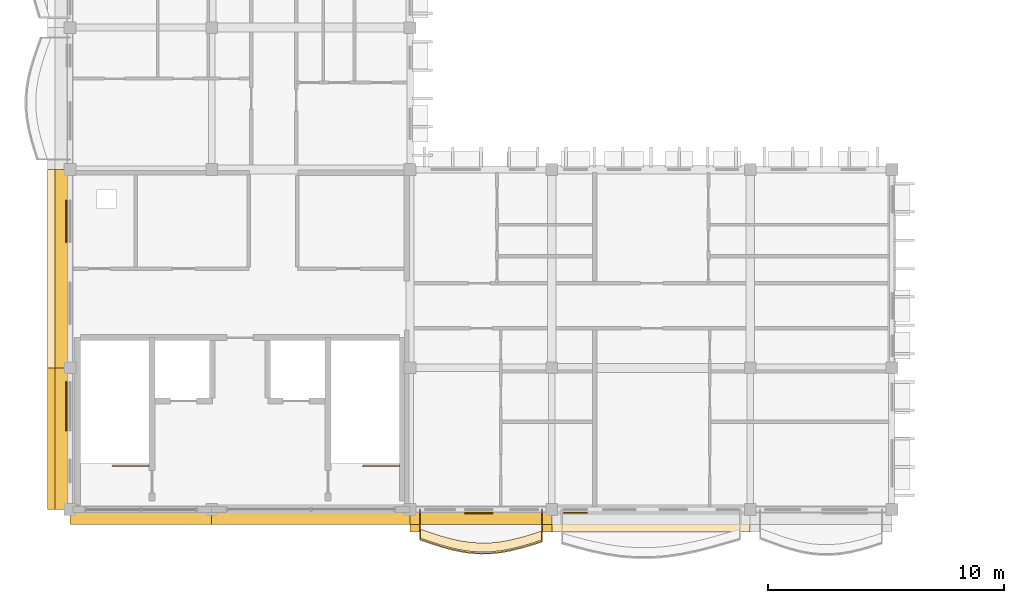
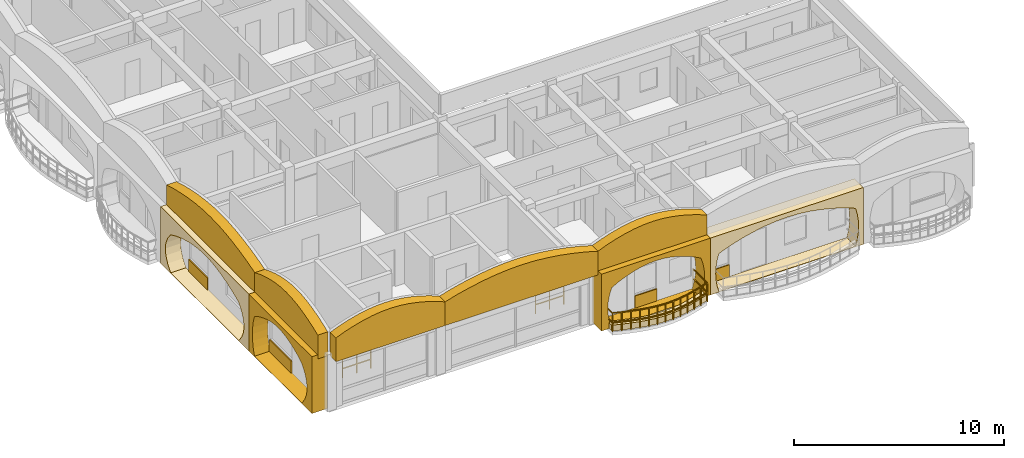
# One storey, part 29 of 45: 14 coverings, 3 railings.
"""IFC4 building model written with IfcOpenShell, lengths in metres."""

from ifc_helpers import new_model, si_unit, direction, frame, origin, origin_2d, place, context, subcontext, project, spatial, polyline, rectangle, outline, extrude, material, layer, layer_set, type_object, element, save


model = new_model("IFC4")

# Units and contexts
model_context = context("Model", 3, precision=1e-05, world=origin(), true_north=direction((0.0, 1.0)))
body_context = subcontext(model_context, "Body", "Model", "MODEL_VIEW")
ifc_project = project(units=[si_unit("LENGTHUNIT", "METRE"), si_unit("AREAUNIT", "SQUARE_METRE"), si_unit("VOLUMEUNIT", "CUBIC_METRE"), si_unit("PLANEANGLEUNIT", "RADIAN"), si_unit("MASSUNIT", "GRAM", prefix="KILO"), si_unit("THERMODYNAMICTEMPERATUREUNIT", "KELVIN")], contexts=[model_context])

# Site, building, storey
site_placement = place(None, origin())
site = spatial("IfcSite", under=ifc_project, at=site_placement, CompositionType="ELEMENT")
building_placement = place(site_placement, origin())
building = spatial("IfcBuilding", under=site, at=building_placement, Name="Thalorik Housing Commons", CompositionType="ELEMENT")
storey_placement = place(building_placement, frame((0.0, 0.0, 34.5)))
storey = spatial("IfcBuildingStorey", under=building, at=storey_placement, Name="L10", CompositionType="ELEMENT", Elevation=34.5)

# Coverings
ifc_material_1 = material(Name="Cobalt blue glazed ceramic facade tile panel", Category="masonry")
ifc_layer_1 = layer(ifc_material_1, 0.06005859375, Name="Cobalt blue glazed ceramic facade tile panel", Category="masonry")
ifc_layer_set_1 = layer_set([ifc_layer_1], Name="Cobalt blue glazed ceramic facade tile panel")
covering_type_1 = type_object("IfcCoveringType", Name="ARC-CLD-BLU-60", PredefinedType="CLADDING", material=ifc_layer_set_1)
covering_1_placement = place(storey_placement, frame((8.257568359375, 20.60498046875, 0.0498046875), z_axis=(0.0, 0.0, 1.0), x_axis=(0.0, -1.0, 0.0)))
element("IfcCovering", 1, at=covering_1_placement, inside=storey, type_object=covering_type_1, Name="L10 De Stijl Recessed Window Spandrel 4464", PredefinedType="CLADDING", context=body_context, shape_type="SweptSolid", body=[
    extrude(rectangle(XDim=1.780029296875, YDim=0.06005859375, at=origin_2d()), origin(), (0.0, 0.0, 1.0), 0.699951171875),
])
ifc_material_2 = material(Name="Precast concrete C40/50", Category="concrete")
ifc_layer_2 = layer(ifc_material_2, 0.85009765625, Name="Precast concrete C40/50", Category="concrete")
ifc_layer_set_2 = layer_set([ifc_layer_2], Name="Precast concrete C40/50")
covering_type_2 = type_object("IfcCoveringType", Name="ARC-CLD-CUSH-850", PredefinedType="CLADDING", material=ifc_layer_set_2)
covering_2_placement = place(storey_placement, frame((7.867431640625, 18.60009765625, 0.0), z_axis=(0.0, 0.0, 1.0), x_axis=(0.0, -1.0, 0.0)))
element("IfcCovering", 2, at=covering_2_placement, inside=storey, type_object=covering_type_2, Name="L10 White Precast Curved Cushion Bay Frame 4463", PredefinedType="CLADDING", context=body_context, shape_type="SweptSolid", body=[
    extrude(outline(polyline([(-4.199951171875, 0.0), (4.199951171875, 0.0), (4.199951171875, 3.300048828125), (-4.199951171875, 3.300048828125), (-4.199951171875, 0.0)]), holes=[polyline([(3.239990234375, 0.02490234375), (3.523193359375, 0.394287109375), (3.693359375, 0.76318359375), (3.75, 1.132568359375), (3.693359375, 1.501708984375), (3.523193359375, 1.870849609375), (3.239990234375, 2.239990234375), (2.699951171875, 2.4833984375), (2.159912109375, 2.6748046875), (1.6201171875, 2.82958984375), (1.080078125, 2.94482421875), (0.5400390625, 3.01611328125), (0.0, 3.0400390625), (-0.5400390625, 3.01611328125), (-1.080078125, 2.94482421875), (-1.6201171875, 2.82958984375), (-2.159912109375, 2.6748046875), (-2.699951171875, 2.4833984375), (-3.239990234375, 2.239990234375), (-3.523193359375, 1.870849609375), (-3.693359375, 1.501708984375), (-3.75, 1.132568359375), (-3.693359375, 0.76318359375), (-3.523193359375, 0.394287109375), (-3.239990234375, 0.02490234375), (3.239990234375, 0.02490234375)])]), frame((0.0, 0.425048828125, 0.0), z_axis=(0.0, -1.0, 0.0), x_axis=(1.0, 0.0, 0.0)), (0.0, 0.0, 1.0), 0.85009765625),
])
covering_3_placement = place(storey_placement, frame((7.867431640625, 11.39990234375, 0.0), z_axis=(0.0, 0.0, 1.0), x_axis=(0.0, -1.0, 0.0)))
element("IfcCovering", 3, at=covering_3_placement, inside=storey, type_object=covering_type_2, Name="L10 White Precast Curved Cushion Bay Frame 4465", PredefinedType="CLADDING", context=body_context, shape_type="SweptSolid", body=[
    extrude(outline(polyline([(-3.0, 0.0), (3.0, 0.0), (3.0, 3.300048828125), (-3.0, 3.300048828125), (-3.0, 0.0)]), holes=[polyline([(2.0400390625, 0.02490234375), (2.3232421875, 0.410888671875), (2.493408203125, 0.796630859375), (2.550048828125, 1.1826171875), (2.493408203125, 1.568359375), (2.3232421875, 1.9541015625), (2.0400390625, 2.340087890625), (1.6650390625, 2.552978515625), (1.2900390625, 2.720458984375), (0.9150390625, 2.85595703125), (0.5400390625, 2.956787109375), (0.1650390625, 3.01904296875), (-0.2099609375, 3.0400390625), (-0.5849609375, 3.01904296875), (-0.9599609375, 2.956787109375), (-1.3349609375, 2.85595703125), (-1.7099609375, 2.720458984375), (-2.0849609375, 2.552978515625), (-2.4599609375, 2.340087890625), (-2.573974609375, 1.9541015625), (-2.642333984375, 1.568359375), (-2.665283203125, 1.1826171875), (-2.642333984375, 0.796630859375), (-2.573974609375, 0.410888671875), (-2.4599609375, 0.02490234375), (2.0400390625, 0.02490234375)])]), frame((0.0, 0.425048828125, 0.0), z_axis=(0.0, -1.0, 0.0), x_axis=(1.0, 0.0, 0.0)), (0.0, 0.0, 1.0), 0.85009765625),
])
covering_4_placement = place(storey_placement, frame((25.800048828125, 7.867431640625, 0.0), z_axis=(0.0, 0.0, 1.0), x_axis=(1.0, 0.0, 0.0)))
element("IfcCovering", 4, at=covering_4_placement, inside=storey, type_object=covering_type_2, Name="L10 White Precast Curved Cushion Bay Frame 4467", PredefinedType="CLADDING", context=body_context, shape_type="SweptSolid", body=[
    extrude(outline(polyline([(-3.0, 0.0), (3.0, 0.0), (3.0, 3.300048828125), (-3.0, 3.300048828125), (-3.0, 0.0)]), holes=[polyline([(2.47509765625, 0.02490234375), (2.585693359375, 0.407470703125), (2.65234375, 0.7900390625), (2.674560546875, 1.172607421875), (2.65234375, 1.554931640625), (2.585693359375, 1.9375), (2.47509765625, 2.320068359375), (2.066162109375, 2.539306640625), (1.657470703125, 2.711181640625), (1.248779296875, 2.8505859375), (0.840087890625, 2.954345703125), (0.43115234375, 3.018310546875), (0.0224609375, 3.0400390625), (-0.38623046875, 3.018310546875), (-0.794921875, 2.954345703125), (-1.20361328125, 2.8505859375), (-1.612548828125, 2.711181640625), (-2.021240234375, 2.539306640625), (-2.429931640625, 2.320068359375), (-2.55029296875, 1.9375), (-2.62255859375, 1.554931640625), (-2.646484375, 1.172607421875), (-2.62255859375, 0.7900390625), (-2.55029296875, 0.407470703125), (-2.429931640625, 0.02490234375), (2.47509765625, 0.02490234375)])]), frame((0.0, 0.425048828125, 0.0), z_axis=(0.0, -1.0, 0.0), x_axis=(1.0, 0.0, 0.0)), (0.0, 0.0, 1.0), 0.85009765625),
])
covering_5_placement = place(storey_placement, frame((33.0, 7.867431640625, 0.0), z_axis=(0.0, 0.0, 1.0), x_axis=(1.0, 0.0, 0.0)))
element("IfcCovering", 5, at=covering_5_placement, inside=storey, type_object=covering_type_2, Name="L10 White Precast Curved Cushion Bay Frame 4469", PredefinedType="CLADDING", context=body_context, shape_type="SweptSolid", body=[
    extrude(outline(polyline([(-4.199951171875, 0.0), (4.199951171875, 0.0), (4.199951171875, 3.300048828125), (-4.199951171875, 3.300048828125), (-4.199951171875, 0.0)]), holes=[polyline([(3.77001953125, 0.02490234375), (3.86083984375, 0.394287109375), (3.915283203125, 0.76318359375), (3.933349609375, 1.132568359375), (3.915283203125, 1.501708984375), (3.86083984375, 1.870849609375), (3.77001953125, 2.239990234375), (3.143798828125, 2.4833984375), (2.517578125, 2.6748046875), (1.89111328125, 2.82958984375), (1.264892578125, 2.94482421875), (0.638671875, 3.01611328125), (0.012451171875, 3.0400390625), (-0.61376953125, 3.01611328125), (-1.239990234375, 2.94482421875), (-1.8662109375, 2.82958984375), (-2.492431640625, 2.6748046875), (-3.11865234375, 2.4833984375), (-3.7451171875, 2.239990234375), (-3.841064453125, 1.870849609375), (-3.898681640625, 1.501708984375), (-3.91796875, 1.132568359375), (-3.898681640625, 0.76318359375), (-3.841064453125, 0.394287109375), (-3.7451171875, 0.02490234375), (3.77001953125, 0.02490234375)])]), frame((0.0, 0.425048828125, 0.0), z_axis=(0.0, -1.0, 0.0), x_axis=(1.0, 0.0, 0.0)), (0.0, 0.0, 1.0), 0.85009765625),
])
ifc_layer_3 = layer(ifc_material_2, 0.550048828125, Name="Precast concrete C40/50", Category="concrete")
ifc_layer_set_3 = layer_set([ifc_layer_3], Name="Precast concrete C40/50")
covering_type_3 = type_object("IfcCoveringType", Name="ARC-CLD-PAR-550", PredefinedType="CLADDING", material=ifc_layer_set_3)
covering_6_placement = place(storey_placement, frame((8.04248046875, 18.60009765625, 3.06005859375), z_axis=(0.0, 0.0, 1.0), x_axis=(0.0, -1.0, 0.0)))
element("IfcCovering", 6, at=covering_6_placement, inside=storey, type_object=covering_type_3, Name="L10 Block C Scalloped White Precast Parapet Crest 4518", PredefinedType="CLADDING", context=body_context, shape_type="SweptSolid", body=[
    extrude(outline(polyline([(-4.199951171875, 0.0), (4.199951171875, 0.0), (4.199951171875, 1.3798828125), (3.5, 1.58154296875), (2.800048828125, 1.744384765625), (2.10009765625, 1.877685546875), (1.39990234375, 1.977294921875), (0.699951171875, 2.0390625), (0.0, 2.06005859375), (-0.699951171875, 2.0390625), (-1.39990234375, 1.977294921875), (-2.10009765625, 1.877685546875), (-2.800048828125, 1.744384765625), (-3.5, 1.58154296875), (-4.199951171875, 1.3798828125), (-4.199951171875, 0.0)])), frame((0.0, 0.27490234375, 0.0), z_axis=(0.0, -1.0, 0.0), x_axis=(1.0, 0.0, 0.0)), (0.0, 0.0, 1.0), 0.550048828125),
])
for number, where, z_axis, x_axis, name in (
    (7, (8.04248046875, 11.39990234375, 3.06005859375), (0.0, 0.0, 1.0), (0.0, -1.0, 0.0), "L10 Block C Scalloped White Precast Parapet Crest 4519"),
    (8, (11.39990234375, 8.04248046875, 3.06005859375), (0.0, 0.0, 1.0), (1.0, 0.0, 0.0), "L10 Block C Scalloped White Precast Parapet Crest 4520"),
):
    element("IfcCovering", number, at=place(storey_placement, frame(where, z_axis=z_axis, x_axis=x_axis)), inside=storey, type_object=covering_type_3, Name=name, PredefinedType="CLADDING", context=body_context, shape_type="SweptSolid", body=[
        extrude(outline(polyline([(-3.0, 0.0), (3.0, 0.0), (3.0, 1.3798828125), (2.5, 1.58154296875), (2.0, 1.744384765625), (1.5, 1.877685546875), (1.0, 1.977294921875), (0.5, 2.0390625), (0.0, 2.06005859375), (-0.5, 2.0390625), (-1.0, 1.977294921875), (-1.5, 1.877685546875), (-2.0, 1.744384765625), (-2.5, 1.58154296875), (-3.0, 1.3798828125), (-3.0, 0.0)])), frame((0.0, 0.27490234375, 0.0), z_axis=(0.0, -1.0, 0.0), x_axis=(1.0, 0.0, 0.0)), (0.0, 0.0, 1.0), 0.550048828125),
    ])
covering_7_placement = place(storey_placement, frame((18.60009765625, 8.04248046875, 3.06005859375), z_axis=(0.0, 0.0, 1.0), x_axis=(1.0, 0.0, 0.0)))
element("IfcCovering", 9, at=covering_7_placement, inside=storey, type_object=covering_type_3, Name="L10 Block C Scalloped White Precast Parapet Crest 4521", PredefinedType="CLADDING", context=body_context, shape_type="SweptSolid", body=[
    extrude(outline(polyline([(-4.199951171875, 0.0), (4.199951171875, 0.0), (4.199951171875, 1.3798828125), (3.5, 1.58154296875), (2.800048828125, 1.744384765625), (2.10009765625, 1.877685546875), (1.39990234375, 1.977294921875), (0.699951171875, 2.0390625), (0.0, 2.06005859375), (-0.699951171875, 2.0390625), (-1.39990234375, 1.977294921875), (-2.10009765625, 1.877685546875), (-2.800048828125, 1.744384765625), (-3.5, 1.58154296875), (-4.199951171875, 1.3798828125), (-4.199951171875, 0.0)])), frame((0.0, 0.27490234375, 0.0), z_axis=(0.0, -1.0, 0.0), x_axis=(1.0, 0.0, 0.0)), (0.0, 0.0, 1.0), 0.550048828125),
])
covering_8_placement = place(storey_placement, frame((25.800048828125, 8.04248046875, 3.06005859375), z_axis=(0.0, 0.0, 1.0), x_axis=(1.0, 0.0, 0.0)))
element("IfcCovering", 10, at=covering_8_placement, inside=storey, type_object=covering_type_3, Name="L10 Block C Scalloped White Precast Parapet Crest 4522", PredefinedType="CLADDING", context=body_context, shape_type="SweptSolid", body=[
    extrude(outline(polyline([(-3.0, 0.0), (3.0, 0.0), (3.0, 1.3798828125), (2.5, 1.58154296875), (2.0, 1.744384765625), (1.5, 1.877685546875), (1.0, 1.977294921875), (0.5, 2.0390625), (0.0, 2.06005859375), (-0.5, 2.0390625), (-1.0, 1.977294921875), (-1.5, 1.877685546875), (-2.0, 1.744384765625), (-2.5, 1.58154296875), (-3.0, 1.3798828125), (-3.0, 0.0)])), frame((0.0, 0.27490234375, 0.0), z_axis=(0.0, -1.0, 0.0), x_axis=(1.0, 0.0, 0.0)), (0.0, 0.0, 1.0), 0.550048828125),
])
ifc_material_3 = material(Name="Terracotta red mineral fibre-cement panel", Category="masonry")
ifc_layer_4 = layer(ifc_material_3, 0.054931640625, Name="Terracotta red mineral fibre-cement panel", Category="masonry")
ifc_layer_set_4 = layer_set([ifc_layer_4], Name="Terracotta red mineral fibre-cement panel")
covering_type_4 = type_object("IfcCoveringType", Name="ARC-CLD-RED-55", PredefinedType="CLADDING", material=ifc_layer_set_4)
covering_9_placement = place(storey_placement, frame((29.804931640625, 8.260009765625, 0.0498046875), z_axis=(0.0, 0.0, 1.0), x_axis=(1.0, 0.0, 0.0)))
element("IfcCovering", 11, at=covering_9_placement, inside=storey, type_object=covering_type_4, Name="L10 De Stijl Recessed Window Spandrel 4470", PredefinedType="CLADDING", context=body_context, shape_type="SweptSolid", body=[
    extrude(rectangle(XDim=1.0, YDim=0.054931640625, at=origin_2d()), origin(), (0.0, 0.0, 1.0), 0.699951171875),
])
ifc_material_4 = material(Name="Mineral ochre architectural terracotta panel", Category="masonry")
ifc_layer_5 = layer(ifc_material_4, 0.06494140625, Name="Mineral ochre architectural terracotta panel", Category="masonry")
ifc_layer_set_5 = layer_set([ifc_layer_5], Name="Mineral ochre architectural terracotta panel")
covering_type_5 = type_object("IfcCoveringType", Name="ARC-CLD-YEL-65", PredefinedType="CLADDING", material=ifc_layer_set_5)
covering_10_placement = place(storey_placement, frame((8.2548828125, 12.77001953125, 0.0498046875), z_axis=(0.0, 0.0, 1.0), x_axis=(0.0, -1.0, 0.0)))
element("IfcCovering", 12, at=covering_10_placement, inside=storey, type_object=covering_type_5, Name="L10 De Stijl Recessed Window Spandrel 4466", PredefinedType="CLADDING", context=body_context, shape_type="SweptSolid", body=[
    extrude(rectangle(XDim=2.080078125, YDim=0.06494140625, at=origin_2d()), origin(), (0.0, 0.0, 1.0), 0.699951171875),
])
covering_11_placement = place(storey_placement, frame((25.705078125, 8.2548828125, 0.0498046875), z_axis=(0.0, 0.0, 1.0), x_axis=(1.0, 0.0, 0.0)))
element("IfcCovering", 13, at=covering_11_placement, inside=storey, type_object=covering_type_5, Name="L10 De Stijl Recessed Window Spandrel 4468", PredefinedType="CLADDING", context=body_context, shape_type="SweptSolid", body=[
    extrude(rectangle(XDim=1.199951171875, YDim=0.06494140625, at=origin_2d()), origin(), (0.0, 0.0, 1.0), 0.699951171875),
])
ifc_material_5 = material(Name="Planted vegetated substrate and terracotta trough", Category="masonry")
ifc_layer_6 = layer(ifc_material_5, 0.340087890625, Name="Planted vegetated substrate and terracotta trough", Category="masonry")
ifc_layer_set_6 = layer_set([ifc_layer_6], Name="Planted vegetated substrate and terracotta trough")
covering_type_6 = type_object("IfcCoveringType", Name="ARC-COV-PLANTER", PredefinedType="USERDEFINED", material=ifc_layer_set_6)
covering_12_placement = place(storey_placement, origin())
element("IfcCovering", 14, at=covering_12_placement, inside=storey, type_object=covering_type_6, Name="L10 Balcony Slab-Edge Planted Trough 5642", ObjectType="PLANTER", PredefinedType="USERDEFINED", context=body_context, shape_type="SweptSolid", body=[
    extrude(outline(polyline([(23.219970703125, 7.189453125), (23.64990234375, 7.044189453125), (24.080078125, 6.906494140625), (24.510009765625, 6.785400390625), (24.93994140625, 6.68994140625), (25.3701171875, 6.62646484375), (25.800048828125, 6.598876953125), (26.22998046875, 6.609375), (26.659912109375, 6.656494140625), (27.090087890625, 6.73681640625), (27.52001953125, 6.84423828125), (27.949951171875, 6.970947265625), (28.3798828125, 7.107177734375), (28.3798828125, 7.4873046875), (27.949951171875, 7.350830078125), (27.52001953125, 7.224365234375), (27.090087890625, 7.116943359375), (26.659912109375, 7.03662109375), (26.22998046875, 6.989501953125), (25.800048828125, 6.97900390625), (25.3701171875, 7.00634765625), (24.93994140625, 7.070068359375), (24.510009765625, 7.16552734375), (24.080078125, 7.28662109375), (23.64990234375, 7.42431640625), (23.219970703125, 7.5693359375), (23.219970703125, 7.189453125)])), origin(), (0.0, 0.0, 1.0), 0.340087890625),
])

# Railings
ifc_material_6 = material(Name="Steel S355", Category="steel")
railing_type_1 = type_object("IfcRailingType", Name="ARC-RL-BAL-112", PredefinedType="BALUSTRADE", material=ifc_material_6)
railing_placement = place(storey_placement, frame((23.219970703125, 8.39990234375, 0.0)))
element("IfcRailing", 15, at=railing_placement, inside=storey, type_object=railing_type_1, Name="L10 Cushion Balcony Guardrail 326", PredefinedType="BALUSTRADE", context=body_context, shape_type="SweptSolid", body=[
    extrude(rectangle(XDim=0.050048828125, YDim=0.050048828125, at=origin_2d()), frame((0.0, 0.0, 1.09521484375), z_axis=(0.0, -1.0, 0.0), x_axis=(1.0, 0.0, 0.0)), (0.0, 0.0, 1.0), 1.280517578125),
    extrude(rectangle(XDim=0.050048828125, YDim=0.050048828125, at=origin_2d()), frame((0.0, 0.0, 0.53515625), z_axis=(0.0, -1.0, 0.0), x_axis=(1.0, 0.0, 0.0)), (0.0, 0.0, 1.0), 1.280517578125),
    extrude(rectangle(XDim=0.050048828125, YDim=0.050048828125, at=origin_2d()), frame((0.0, -1.280517578125, 1.09521484375), z_axis=(0.947547287478, -0.319615609746, 0.0), x_axis=(0.319615609746, 0.947547287478, 0.0)), (0.0, 0.0, 1.0), 0.45361328125),
    extrude(rectangle(XDim=0.050048828125, YDim=0.050048828125, at=origin_2d()), frame((0.0, -1.280517578125, 0.53515625), z_axis=(0.947547287478, -0.319615609746, 0.0), x_axis=(0.319615609746, 0.947547287478, 0.0)), (0.0, 0.0, 1.0), 0.45361328125),
    extrude(rectangle(XDim=0.050048828125, YDim=0.050048828125, at=origin_2d()), frame((0.429931640625, -1.425537109375, 1.09521484375), z_axis=(0.952242003073, -0.305344342643, 0.0), x_axis=(0.305344342643, 0.952242003073, 0.0)), (0.0, 0.0, 1.0), 0.45166015625),
    extrude(rectangle(XDim=0.050048828125, YDim=0.050048828125, at=origin_2d()), frame((0.429931640625, -1.425537109375, 0.53515625), z_axis=(0.952242003073, -0.305344342643, 0.0), x_axis=(0.305344342643, 0.952242003073, 0.0)), (0.0, 0.0, 1.0), 0.45166015625),
    extrude(rectangle(XDim=0.050048828125, YDim=0.050048828125, at=origin_2d()), frame((0.860107421875, -1.5634765625, 1.09521484375), z_axis=(0.962691002466, -0.270603092686, 0.0), x_axis=(0.270603092686, 0.962691002466, 0.0)), (0.0, 0.0, 1.0), 0.446533203125),
    extrude(rectangle(XDim=0.050048828125, YDim=0.050048828125, at=origin_2d()), frame((0.860107421875, -1.5634765625, 0.53515625), z_axis=(0.962691002466, -0.270603092686, 0.0), x_axis=(0.270603092686, 0.962691002466, 0.0)), (0.0, 0.0, 1.0), 0.446533203125),
    extrude(rectangle(XDim=0.050048828125, YDim=0.050048828125, at=origin_2d()), frame((1.2900390625, -1.684326171875, 1.09521484375), z_axis=(0.976226175524, -0.216754363788, 0.0), x_axis=(0.216754363788, 0.976226175524, 0.0)), (0.0, 0.0, 1.0), 0.4404296875),
    extrude(rectangle(XDim=0.050048828125, YDim=0.050048828125, at=origin_2d()), frame((1.2900390625, -1.684326171875, 0.53515625), z_axis=(0.976226175524, -0.216754363788, 0.0), x_axis=(0.216754363788, 0.976226175524, 0.0)), (0.0, 0.0, 1.0), 0.4404296875),
    extrude(rectangle(XDim=0.050048828125, YDim=0.050048828125, at=origin_2d()), frame((1.719970703125, -1.77978515625, 1.09521484375), z_axis=(0.989206476433, -0.146528314613, 0.0), x_axis=(0.146528314613, 0.989206476433, 0.0)), (0.0, 0.0, 1.0), 0.434814453125),
    extrude(rectangle(XDim=0.050048828125, YDim=0.050048828125, at=origin_2d()), frame((1.719970703125, -1.77978515625, 0.53515625), z_axis=(0.989206476433, -0.146528314613, 0.0), x_axis=(0.146528314613, 0.989206476433, 0.0)), (0.0, 0.0, 1.0), 0.434814453125),
    extrude(rectangle(XDim=0.050048828125, YDim=0.050048828125, at=origin_2d()), frame((2.150146484375, -1.843505859375, 1.09521484375), z_axis=(0.997947564423, -0.064036385451, 0.0), x_axis=(0.064036385451, 0.997947564423, 0.0)), (0.0, 0.0, 1.0), 0.430908203125),
    extrude(rectangle(XDim=0.050048828125, YDim=0.050048828125, at=origin_2d()), frame((2.150146484375, -1.843505859375, 0.53515625), z_axis=(0.997947564423, -0.064036385451, 0.0), x_axis=(0.064036385451, 0.997947564423, 0.0)), (0.0, 0.0, 1.0), 0.430908203125),
    extrude(rectangle(XDim=0.050048828125, YDim=0.050048828125, at=origin_2d()), frame((2.580078125, -1.87109375, 1.09521484375), z_axis=(0.999702015242, 0.024410668175, 0.0), x_axis=(-0.024410668175, 0.999702015242, 0.0)), (0.0, 0.0, 1.0), 0.43017578125),
    extrude(rectangle(XDim=0.050048828125, YDim=0.050048828125, at=origin_2d()), frame((2.580078125, -1.87109375, 0.53515625), z_axis=(0.999702015242, 0.024410668175, 0.0), x_axis=(-0.024410668175, 0.999702015242, 0.0)), (0.0, 0.0, 1.0), 0.43017578125),
    extrude(rectangle(XDim=0.050048828125, YDim=0.050048828125, at=origin_2d()), frame((3.010009765625, -1.860595703125, 1.09521484375), z_axis=(0.993986552267, 0.109502209619, 0.0), x_axis=(-0.109502209619, 0.993986552267, 0.0)), (0.0, 0.0, 1.0), 0.4326171875),
    extrude(rectangle(XDim=0.050048828125, YDim=0.050048828125, at=origin_2d()), frame((3.010009765625, -1.860595703125, 0.53515625), z_axis=(0.993986552267, 0.109502209619, 0.0), x_axis=(-0.109502209619, 0.993986552267, 0.0)), (0.0, 0.0, 1.0), 0.4326171875),
    extrude(rectangle(XDim=0.050048828125, YDim=0.050048828125, at=origin_2d()), frame((3.43994140625, -1.813232421875, 1.09521484375), z_axis=(0.983010854985, 0.18354742979, 0.0), x_axis=(-0.18354742979, 0.983010854985, 0.0)), (0.0, 0.0, 1.0), 0.4375),
    extrude(rectangle(XDim=0.050048828125, YDim=0.050048828125, at=origin_2d()), frame((3.43994140625, -1.813232421875, 0.53515625), z_axis=(0.983010854985, 0.18354742979, 0.0), x_axis=(-0.18354742979, 0.983010854985, 0.0)), (0.0, 0.0, 1.0), 0.4375),
    extrude(rectangle(XDim=0.050048828125, YDim=0.050048828125, at=origin_2d()), frame((3.8701171875, -1.73291015625, 1.09521484375), z_axis=(0.970174898703, 0.242405993997, 0.0), x_axis=(-0.242405993997, 0.970174898703, 0.0)), (0.0, 0.0, 1.0), 0.443115234375),
    extrude(rectangle(XDim=0.050048828125, YDim=0.050048828125, at=origin_2d()), frame((3.8701171875, -1.73291015625, 0.53515625), z_axis=(0.970174898703, 0.242405993997, 0.0), x_axis=(-0.242405993997, 0.970174898703, 0.0)), (0.0, 0.0, 1.0), 0.443115234375),
    extrude(rectangle(XDim=0.050048828125, YDim=0.050048828125, at=origin_2d()), frame((4.300048828125, -1.62548828125, 1.09521484375), z_axis=(0.959356826284, 0.282195818294, 0.0), x_axis=(-0.282195818294, 0.959356826284, 0.0)), (0.0, 0.0, 1.0), 0.4482421875),
    extrude(rectangle(XDim=0.050048828125, YDim=0.050048828125, at=origin_2d()), frame((4.300048828125, -1.62548828125, 0.53515625), z_axis=(0.959356826284, 0.282195818294, 0.0), x_axis=(-0.282195818294, 0.959356826284, 0.0)), (0.0, 0.0, 1.0), 0.4482421875),
    extrude(rectangle(XDim=0.050048828125, YDim=0.050048828125, at=origin_2d()), frame((4.72998046875, -1.4990234375, 1.09521484375), z_axis=(0.953287680153, 0.302063898652, 0.0), x_axis=(-0.302063898652, 0.953287680153, 0.0)), (0.0, 0.0, 1.0), 0.450927734375),
    extrude(rectangle(XDim=0.050048828125, YDim=0.050048828125, at=origin_2d()), frame((4.72998046875, -1.4990234375, 0.53515625), z_axis=(0.953287680153, 0.302063898652, 0.0), x_axis=(-0.302063898652, 0.953287680153, 0.0)), (0.0, 0.0, 1.0), 0.450927734375),
    extrude(rectangle(XDim=0.050048828125, YDim=0.050048828125, at=origin_2d()), frame((5.159912109375, -1.36279296875, 1.09521484375), z_axis=(0.0, 1.0, 0.0), x_axis=(-1.0, 0.0, 0.0)), (0.0, 0.0, 1.0), 1.36279296875),
    extrude(rectangle(XDim=0.050048828125, YDim=0.050048828125, at=origin_2d()), frame((5.159912109375, -1.36279296875, 0.53515625), z_axis=(0.0, 1.0, 0.0), x_axis=(-1.0, 0.0, 0.0)), (0.0, 0.0, 1.0), 1.36279296875),
    extrude(rectangle(XDim=0.0419921875, YDim=0.0419921875, at=origin_2d()), origin(), (0.0, 0.0, 1.0), 1.070068359375),
    extrude(rectangle(XDim=0.0419921875, YDim=0.0419921875, at=origin_2d()), frame((0.0, -1.280517578125, 0.0)), (0.0, 0.0, 1.0), 1.070068359375),
    extrude(rectangle(XDim=0.0419921875, YDim=0.0419921875, at=origin_2d()), frame((0.429931640625, -1.425537109375, 0.0)), (0.0, 0.0, 1.0), 1.070068359375),
    extrude(rectangle(XDim=0.0419921875, YDim=0.0419921875, at=origin_2d()), frame((0.860107421875, -1.5634765625, 0.0)), (0.0, 0.0, 1.0), 1.070068359375),
    extrude(rectangle(XDim=0.0419921875, YDim=0.0419921875, at=origin_2d()), frame((1.2900390625, -1.684326171875, 0.0)), (0.0, 0.0, 1.0), 1.070068359375),
    extrude(rectangle(XDim=0.0419921875, YDim=0.0419921875, at=origin_2d()), frame((1.719970703125, -1.77978515625, 0.0)), (0.0, 0.0, 1.0), 1.070068359375),
    extrude(rectangle(XDim=0.0419921875, YDim=0.0419921875, at=origin_2d()), frame((2.150146484375, -1.843505859375, 0.0)), (0.0, 0.0, 1.0), 1.070068359375),
    extrude(rectangle(XDim=0.0419921875, YDim=0.0419921875, at=origin_2d()), frame((2.580078125, -1.87109375, 0.0)), (0.0, 0.0, 1.0), 1.070068359375),
    extrude(rectangle(XDim=0.0419921875, YDim=0.0419921875, at=origin_2d()), frame((3.010009765625, -1.860595703125, 0.0)), (0.0, 0.0, 1.0), 1.070068359375),
    extrude(rectangle(XDim=0.0419921875, YDim=0.0419921875, at=origin_2d()), frame((3.43994140625, -1.813232421875, 0.0)), (0.0, 0.0, 1.0), 1.070068359375),
    extrude(rectangle(XDim=0.0419921875, YDim=0.0419921875, at=origin_2d()), frame((3.8701171875, -1.73291015625, 0.0)), (0.0, 0.0, 1.0), 1.070068359375),
    extrude(rectangle(XDim=0.0419921875, YDim=0.0419921875, at=origin_2d()), frame((4.300048828125, -1.62548828125, 0.0)), (0.0, 0.0, 1.0), 1.070068359375),
    extrude(rectangle(XDim=0.0419921875, YDim=0.0419921875, at=origin_2d()), frame((4.72998046875, -1.4990234375, 0.0)), (0.0, 0.0, 1.0), 1.070068359375),
    extrude(rectangle(XDim=0.0419921875, YDim=0.0419921875, at=origin_2d()), frame((5.159912109375, -1.36279296875, 0.0)), (0.0, 0.0, 1.0), 1.070068359375),
    extrude(rectangle(XDim=0.0419921875, YDim=0.0419921875, at=origin_2d()), frame((5.159912109375, 0.0, 0.0)), (0.0, 0.0, 1.0), 1.070068359375),
])
railing_type_2 = type_object("IfcRailingType", Name="ARC-RL-STR-GRD110", PredefinedType="GUARDRAIL", material=ifc_material_6)
for number, where, name in (
    (16, (11.75, 10.25, 0.0), "L10 ST-C1 top well guard 1"),
    (17, (22.35009765625, 10.25, 0.0), "L10 ST-C2 top well guard 1"),
):
    element("IfcRailing", number, at=place(storey_placement, frame(where)), inside=storey, type_object=railing_type_2, Name=name, PredefinedType="GUARDRAIL", context=body_context, shape_type="SweptSolid", body=[
        extrude(rectangle(XDim=0.048095703125, YDim=0.048095703125, at=origin_2d()), frame((0.0, 0.0, 1.076171875), z_axis=(-1.0, 0.0, 0.0), x_axis=(0.0, -1.0, 0.0)), (0.0, 0.0, 1.0), 1.550048828125),
        extrude(rectangle(XDim=0.048095703125, YDim=0.048095703125, at=origin_2d()), frame((0.0, 0.0, 0.52587890625), z_axis=(-1.0, 0.0, 0.0), x_axis=(0.0, -1.0, 0.0)), (0.0, 0.0, 1.0), 1.550048828125),
        extrude(rectangle(XDim=0.0419921875, YDim=0.0419921875, at=origin_2d()), origin(), (0.0, 0.0, 1.0), 1.052001953125),
        extrude(rectangle(XDim=0.0419921875, YDim=0.0419921875, at=origin_2d()), frame((-0.77490234375, 0.0, 0.0)), (0.0, 0.0, 1.0), 1.052001953125),
        extrude(rectangle(XDim=0.0419921875, YDim=0.0419921875, at=origin_2d()), frame((-1.550048828125, 0.0, 0.0)), (0.0, 0.0, 1.0), 1.052001953125),
    ])

save(model, "model.ifc")
